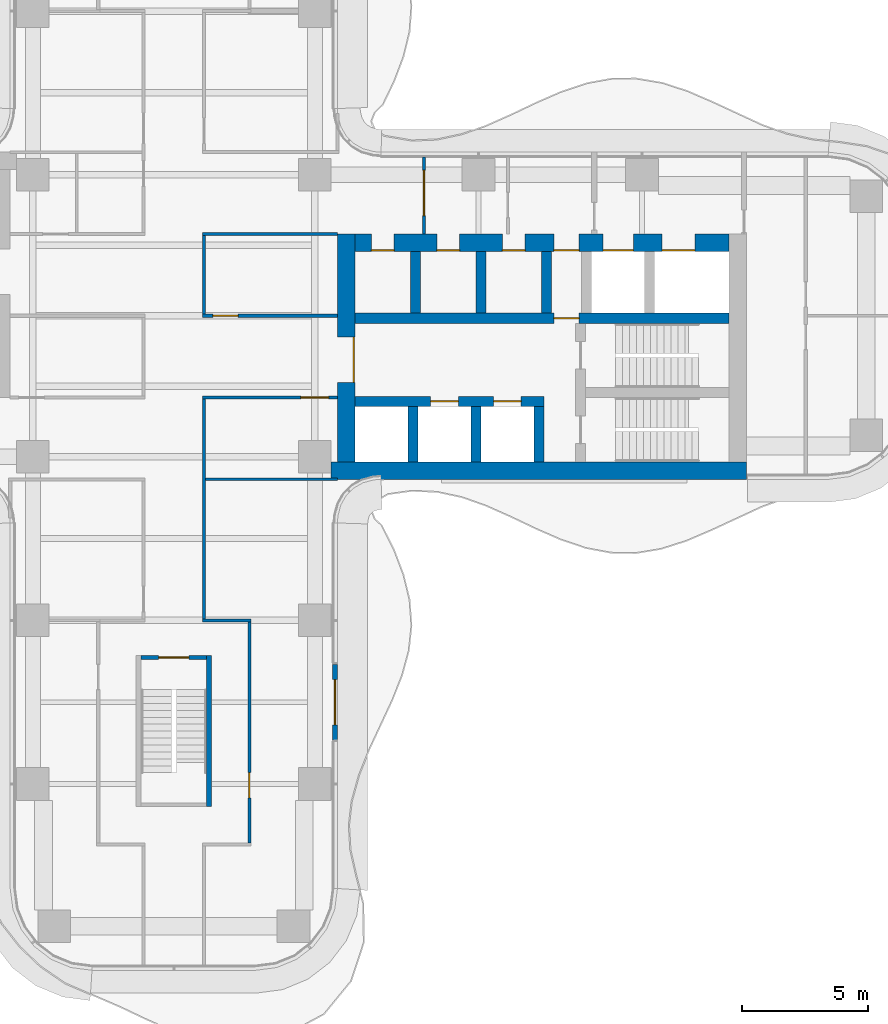
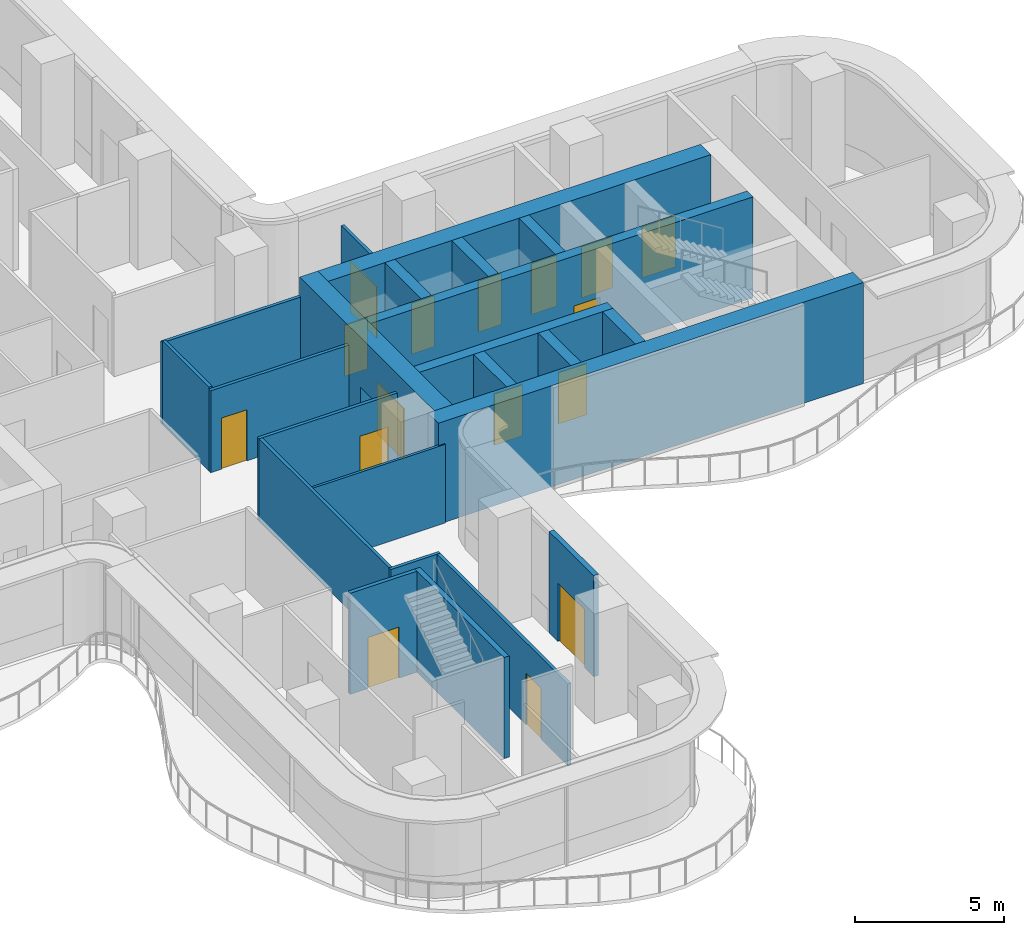
# One storey, part 16 of 20: 23 walls, 16 doors, 16 openings.
"""IFC4 building model written with IfcOpenShell, lengths in metres."""

from ifc_helpers import new_model, si_unit, direction, frame, frame_2d, origin, place, context, subcontext, project, spatial, rectangle, extrude, source, transform, mapped, material, layer, layer_set, type_object, element, fill, save


model = new_model("IFC4")

# Units and contexts
model_context = context("Model", 3, precision=1e-05, world=origin(), true_north=direction((0.0, 1.0)))
body_context = subcontext(model_context, "Body", "Model", "MODEL_VIEW")
ifc_project = project(units=[si_unit("LENGTHUNIT", "METRE"), si_unit("AREAUNIT", "SQUARE_METRE"), si_unit("VOLUMEUNIT", "CUBIC_METRE"), si_unit("PLANEANGLEUNIT", "RADIAN"), si_unit("MASSUNIT", "GRAM", prefix="KILO")], contexts=[model_context])

# Site, building, storey
site_placement = place(None, origin())
site = spatial("IfcSite", under=ifc_project, at=site_placement, CompositionType="ELEMENT")
building_placement = place(site_placement, origin())
building = spatial("IfcBuilding", under=site, at=building_placement, Name="Trellis Farm Tower", CompositionType="ELEMENT")
storey_placement = place(building_placement, frame((0.0, 0.0, 151.5)))
storey = spatial("IfcBuildingStorey", under=building, at=storey_placement, Name="L32", CompositionType="ELEMENT", Elevation=151.5)

# Wall, opening, door
ifc_material_1 = material(Name="Plasterboard on steel studs, mineral wool", Category="steel")
ifc_layer_1 = layer(ifc_material_1, 0.125)
ifc_layer_set_1 = layer_set([ifc_layer_1], Name="PARTITION 125 STUD EI 60")
wall_type_1 = type_object("IfcWallType", Name="PARTITION 125 STUD EI 60", PredefinedType="PARTITIONING", material=ifc_layer_set_1)
wall_1_placement = place(storey_placement, frame((3.0, -12.16259765625, 0.0), z_axis=(0.0, 0.0, 1.0), x_axis=(0.0, -1.0, 0.0)))
wall_1 = element("IfcWall", 1, at=wall_1_placement, inside=storey, type_object=wall_type_1, Name="Partition PW1", PredefinedType="PARTITIONING", context=body_context, shape_type="SweptSolid", body=[
    extrude(rectangle(XDim=8.77490234375, YDim=0.125, at=frame_2d((4.387451171875, 0.0))), origin(), (0.0, 0.0, 1.0), 3.367919921875),
])
shared_shape_1 = source(origin(), body_context, "Body", "SweptSolid", [
    extrude(rectangle(XDim=1.0, YDim=2.10009765625, at=frame_2d((0.5, 1.050048828125))), frame((0.0, 0.072509765625, 0.0), z_axis=(0.0, -1.0, 0.0), x_axis=(1.0, 0.0, 0.0)), (0.0, 0.0, 1.0), 0.14501953125),
])
opening_1_placement = place(wall_1_placement, frame((5.987548828125, 0.0, 0.0)))
opening_1 = element("IfcOpeningElement", 2, at=opening_1_placement, cuts=wall_1, Name="Opening D101", PredefinedType="OPENING", context=body_context, shape_type="MappedRepresentation", body=[
    mapped(shared_shape_1, transform((0.0, 0.0, 0.0))),
])
ifc_material_2 = material(Name="Fire-rated timber door leaf in a hollow metal frame", Category="wood")
door_type_1 = type_object("IfcDoorType", Name="DOOR 1000x2100 FD30S", OperationType="NOTDEFINED", PredefinedType="DOOR", material=ifc_material_2)
shared_shape_2 = source(origin(), body_context, "Body", "SweptSolid", [
    extrude(rectangle(XDim=1.0, YDim=2.10009765625, at=frame_2d((0.5, 1.050048828125))), frame((0.0, 0.02490234375, 0.0), z_axis=(0.0, -1.0, 0.0), x_axis=(1.0, 0.0, 0.0)), (0.0, 0.0, 1.0), 0.050048828125),
])
door_1_placement = place(opening_1_placement, origin())
door_1 = element("IfcDoor", 3, at=door_1_placement, inside=storey, type_object=door_type_1, Name="Door D101", OperationType="SINGLE_SWING_RIGHT", OverallHeight=2.10009765625, OverallWidth=1.0, PredefinedType="DOOR", context=body_context, shape_type="MappedRepresentation", body=[
    mapped(shared_shape_2, transform((0.0, 0.0, 0.0))),
])
fill(opening_1, door_1)

ifc_material_3 = material(Name="Concrete C70/85", Category="concrete")
ifc_layer_2 = layer(ifc_material_3, 0.699951171875)
ifc_layer_set_2 = layer_set([ifc_layer_2], Name="CORE OUTER WALL 700 CONCRETE C70/85")
wall_type_2 = type_object("IfcWallType", Name="CORE OUTER WALL 700 CONCRETE C70/85", PredefinedType="SHEAR", material=ifc_layer_set_2)
shared_shape_3 = source(origin(), body_context, "Body", "SweptSolid", [
    extrude(rectangle(XDim=9.050048828125, YDim=0.699951171875, at=frame_2d((4.52490234375, 0.0))), origin(), (0.0, 0.0, 1.0), 4.14990234375),
])
wall_2_placement = place(storey_placement, frame((6.85009765625, -5.800048828125, 0.0), z_axis=(0.0, 0.0, 1.0), x_axis=(0.0, 1.0, 0.0)))
wall_2 = element("IfcWall", 4, at=wall_2_placement, inside=storey, type_object=wall_type_2, Name="Core wall", PredefinedType="SHEAR", context=body_context, shape_type="MappedRepresentation", body=[
    mapped(shared_shape_3, transform((0.0, 0.0, 0.0))),
])
shared_shape_4 = source(origin(), body_context, "Body", "SweptSolid", [
    extrude(rectangle(XDim=1.800048828125, YDim=2.10009765625, at=frame_2d((0.89990234375, 1.050048828125))), frame((0.0, 0.360107421875, 0.0), z_axis=(0.0, -1.0, 0.0), x_axis=(1.0, 0.0, 0.0)), (0.0, 0.0, 1.0), 0.72021484375),
])
opening_2_placement = place(wall_2_placement, frame((3.14990234375, 0.0, 0.0)))
opening_2 = element("IfcOpeningElement", 5, at=opening_2_placement, cuts=wall_2, Name="Opening DC1", PredefinedType="OPENING", context=body_context, shape_type="MappedRepresentation", body=[
    mapped(shared_shape_4, transform((0.0, 0.0, 0.0))),
])
ifc_material_4 = material(Name="Steel", Category="steel")
door_type_2 = type_object("IfcDoorType", Name="CORE FIRE DOOR DOUBLE 1800 X 2100", OperationType="DOUBLE_DOOR_SINGLE_SWING", PredefinedType="DOOR", material=ifc_material_4)
shared_shape_5 = source(origin(), body_context, "Body", "SweptSolid", [
    extrude(rectangle(XDim=1.800048828125, YDim=2.10009765625, at=frame_2d((0.89990234375, 1.050048828125))), frame((0.0, -0.27490234375, 0.0), z_axis=(0.0, -1.0, 0.0), x_axis=(1.0, 0.0, 0.0)), (0.0, 0.0, 1.0), 0.050048828125),
])
door_2_placement = place(opening_2_placement, origin())
door_2 = element("IfcDoor", 6, at=door_2_placement, inside=storey, type_object=door_type_2, Name="Core door", OperationType="DOUBLE_DOOR_SINGLE_SWING", OverallHeight=2.10009765625, OverallWidth=1.800048828125, PredefinedType="DOOR", context=body_context, shape_type="MappedRepresentation", body=[
    mapped(shared_shape_5, transform((0.0, 0.0, 0.0))),
])
fill(opening_2, door_2)

# Walls
ifc_layer_3 = layer(ifc_material_3, 0.39990234375)
ifc_layer_set_3 = layer_set([ifc_layer_3], Name="CORE INNER WALL 400 CONCRETE C70/85")
wall_type_3 = type_object("IfcWallType", Name="CORE INNER WALL 400 CONCRETE C70/85", PredefinedType="SHEAR", material=ifc_layer_set_3)
shared_shape_6 = source(origin(), body_context, "Body", "SweptSolid", [
    extrude(rectangle(XDim=2.199951171875, YDim=0.39990234375, at=frame_2d((1.10009765625, 0.0))), origin(), (0.0, 0.0, 1.0), 4.14990234375),
])
for number, where, z_axis, x_axis, name in (
    (7, (9.5, -5.800048828125, 0.0), (0.0, 0.0, 1.0), (0.0, 1.0, 0.0), "Core wall"),
    (8, (12.0, -5.800048828125, 0.0), (0.0, 0.0, 1.0), (0.0, 1.0, 0.0), "Core wall"),
    (9, (14.5, -5.800048828125, 0.0), (0.0, 0.0, 1.0), (0.0, 1.0, 0.0), "Core wall"),
):
    element("IfcWall", number, at=place(storey_placement, frame(where, z_axis=z_axis, x_axis=x_axis)), inside=storey, type_object=wall_type_3, Name=name, PredefinedType="SHEAR", context=body_context, shape_type="MappedRepresentation", body=[
        mapped(shared_shape_6, transform((0.0, 0.0, 0.0))),
    ])
shared_shape_7 = source(origin(), body_context, "Body", "SweptSolid", [
    extrude(rectangle(XDim=2.449951171875, YDim=0.39990234375, at=frame_2d((1.22509765625, 0.0))), origin(), (0.0, 0.0, 1.0), 4.14990234375),
])
for number, where, z_axis, x_axis, name in (
    (10, (9.60009765625, 0.10009765625, 0.0), (0.0, 0.0, 1.0), (0.0, 1.0, 0.0), "Core wall"),
    (11, (12.199951171875, 0.10009765625, 0.0), (0.0, 0.0, 1.0), (0.0, 1.0, 0.0), "Core wall"),
    (12, (14.800048828125, 0.10009765625, 0.0), (0.0, 0.0, 1.0), (0.0, 1.0, 0.0), "Core wall"),
):
    element("IfcWall", number, at=place(storey_placement, frame(where, z_axis=z_axis, x_axis=x_axis)), inside=storey, type_object=wall_type_3, Name=name, PredefinedType="SHEAR", context=body_context, shape_type="MappedRepresentation", body=[
        mapped(shared_shape_7, transform((0.0, 0.0, 0.0))),
    ])
shared_shape_8 = source(origin(), body_context, "Body", "SweptSolid", [
    extrude(rectangle(XDim=16.5, YDim=0.699951171875, at=frame_2d((8.25, 0.0))), origin(), (0.0, 0.0, 1.0), 4.14990234375),
])
wall_3_placement = place(storey_placement, frame((6.25, -6.14990234375, 0.0), z_axis=(0.0, 0.0, 1.0), x_axis=(1.0, 0.0, 0.0)))
element("IfcWall", 13, at=wall_3_placement, inside=storey, type_object=wall_type_2, Name="Core wall", PredefinedType="SHEAR", context=body_context, shape_type="MappedRepresentation", body=[
    mapped(shared_shape_8, transform((0.0, 0.0, 0.0))),
])

# Wall, openings, doors
shared_shape_9 = source(origin(), body_context, "Body", "SweptSolid", [
    extrude(rectangle(XDim=14.85009765625, YDim=0.699951171875, at=frame_2d((7.425048828125, 0.0))), origin(), (0.0, 0.0, 1.0), 4.14990234375),
])
wall_4_placement = place(storey_placement, frame((7.199951171875, 2.89990234375, 0.0), z_axis=(0.0, 0.0, 1.0), x_axis=(1.0, 0.0, 0.0)))
wall_4 = element("IfcWall", 14, at=wall_4_placement, inside=storey, type_object=wall_type_2, Name="Core wall", PredefinedType="SHEAR", context=body_context, shape_type="MappedRepresentation", body=[
    mapped(shared_shape_9, transform((0.0, 0.0, 0.0))),
])
shared_shape_10 = source(origin(), body_context, "Body", "SweptSolid", [
    extrude(rectangle(XDim=1.300048828125, YDim=2.10009765625, at=frame_2d((0.64990234375, 1.050048828125))), frame((0.0, 0.360107421875, 0.0), z_axis=(0.0, -1.0, 0.0), x_axis=(1.0, 0.0, 0.0)), (0.0, 0.0, 1.0), 0.72021484375),
])
opening_3_placement = place(wall_4_placement, frame((12.199951171875, 0.0, 0.0)))
opening_3 = element("IfcOpeningElement", 15, at=opening_3_placement, cuts=wall_4, Name="Opening LD7", PredefinedType="OPENING", context=body_context, shape_type="MappedRepresentation", body=[
    mapped(shared_shape_10, transform((0.0, 0.0, 0.0))),
])
shared_shape_11 = source(origin(), body_context, "Body", "SweptSolid", [
    extrude(rectangle(XDim=1.199951171875, YDim=2.10009765625, at=frame_2d((0.60009765625, 1.050048828125))), frame((0.0, 0.360107421875, 0.0), z_axis=(0.0, -1.0, 0.0), x_axis=(1.0, 0.0, 0.0)), (0.0, 0.0, 1.0), 0.72021484375),
])
opening_4_placement = place(wall_4_placement, frame((9.85009765625, 0.0, 0.0)))
opening_4 = element("IfcOpeningElement", 16, at=opening_4_placement, cuts=wall_4, Name="Opening LD8", PredefinedType="OPENING", context=body_context, shape_type="MappedRepresentation", body=[
    mapped(shared_shape_11, transform((0.0, 0.0, 0.0))),
])
shared_shape_12 = source(origin(), body_context, "Body", "SweptSolid", [
    extrude(rectangle(XDim=1.0, YDim=2.10009765625, at=frame_2d((0.5, 1.050048828125))), frame((0.0, 0.360107421875, 0.0), z_axis=(0.0, -1.0, 0.0), x_axis=(1.0, 0.0, 0.0)), (0.0, 0.0, 1.0), 0.72021484375),
])
opening_5_placement = place(wall_4_placement, frame((7.89990234375, 0.0, 0.0)))
opening_5 = element("IfcOpeningElement", 17, at=opening_5_placement, cuts=wall_4, Name="Opening DC6", PredefinedType="OPENING", context=body_context, shape_type="MappedRepresentation", body=[
    mapped(shared_shape_12, transform((0.0, 0.0, 0.0))),
])
shared_shape_13 = source(origin(), body_context, "Body", "SweptSolid", [
    extrude(rectangle(XDim=0.89990234375, YDim=2.10009765625, at=frame_2d((0.449951171875, 1.050048828125))), frame((0.0, 0.360107421875, 0.0), z_axis=(0.0, -1.0, 0.0), x_axis=(1.0, 0.0, 0.0)), (0.0, 0.0, 1.0), 0.72021484375),
])
opening_6_placement = place(wall_4_placement, frame((0.64990234375, 0.0, 0.0)))
opening_6 = element("IfcOpeningElement", 18, at=opening_6_placement, cuts=wall_4, Name="Opening DC11", PredefinedType="OPENING", context=body_context, shape_type="MappedRepresentation", body=[
    mapped(shared_shape_13, transform((0.0, 0.0, 0.0))),
])
opening_7_placement = place(wall_4_placement, frame((3.25, 0.0, 0.0)))
opening_7 = element("IfcOpeningElement", 19, at=opening_7_placement, cuts=wall_4, Name="Opening DC24", PredefinedType="OPENING", context=body_context, shape_type="MappedRepresentation", body=[
    mapped(shared_shape_13, transform((0.0, 0.0, 0.0))),
])
opening_8_placement = place(wall_4_placement, frame((5.85009765625, 0.0, 0.0)))
opening_8 = element("IfcOpeningElement", 20, at=opening_8_placement, cuts=wall_4, Name="Opening DC35", PredefinedType="OPENING", context=body_context, shape_type="MappedRepresentation", body=[
    mapped(shared_shape_13, transform((0.0, 0.0, 0.0))),
])
door_type_3 = type_object("IfcDoorType", Name="CORE FIRE DOOR 1000 X 2100", OperationType="NOTDEFINED", PredefinedType="DOOR", material=ifc_material_4)
shared_shape_14 = source(origin(), body_context, "Body", "SweptSolid", [
    extrude(rectangle(XDim=1.0, YDim=2.10009765625, at=frame_2d((0.5, 1.050048828125))), frame((0.0, -0.27490234375, 0.0), z_axis=(0.0, -1.0, 0.0), x_axis=(1.0, 0.0, 0.0)), (0.0, 0.0, 1.0), 0.050048828125),
])
door_3_placement = place(opening_5_placement, origin())
door_3 = element("IfcDoor", 21, at=door_3_placement, inside=storey, type_object=door_type_3, Name="Core door", OperationType="SINGLE_SWING_LEFT", OverallHeight=2.10009765625, OverallWidth=1.0, PredefinedType="DOOR", context=body_context, shape_type="MappedRepresentation", body=[
    mapped(shared_shape_14, transform((0.0, 0.0, 0.0))),
])
fill(opening_5, door_3)
door_type_4 = type_object("IfcDoorType", Name="CORE FIRE DOOR 900 X 2100", OperationType="NOTDEFINED", PredefinedType="DOOR", material=ifc_material_4)
shared_shape_15 = source(origin(), body_context, "Body", "SweptSolid", [
    extrude(rectangle(XDim=0.89990234375, YDim=2.10009765625, at=frame_2d((0.449951171875, 1.050048828125))), frame((0.0, -0.27490234375, 0.0), z_axis=(0.0, -1.0, 0.0), x_axis=(1.0, 0.0, 0.0)), (0.0, 0.0, 1.0), 0.050048828125),
])
door_4_placement = place(opening_6_placement, origin())
door_4 = element("IfcDoor", 22, at=door_4_placement, inside=storey, type_object=door_type_4, Name="Core door", OperationType="SINGLE_SWING_LEFT", OverallHeight=2.10009765625, OverallWidth=0.89990234375, PredefinedType="DOOR", context=body_context, shape_type="MappedRepresentation", body=[
    mapped(shared_shape_15, transform((0.0, 0.0, 0.0))),
])
fill(opening_6, door_4)
door_5_placement = place(opening_7_placement, origin())
door_5 = element("IfcDoor", 23, at=door_5_placement, inside=storey, type_object=door_type_4, Name="Core door", OperationType="SINGLE_SWING_RIGHT", OverallHeight=2.10009765625, OverallWidth=0.89990234375, PredefinedType="DOOR", context=body_context, shape_type="MappedRepresentation", body=[
    mapped(shared_shape_15, transform((0.0, 0.0, 0.0))),
])
fill(opening_7, door_5)
door_6_placement = place(opening_8_placement, origin())
door_6 = element("IfcDoor", 24, at=door_6_placement, inside=storey, type_object=door_type_4, Name="Core door", OperationType="SINGLE_SWING_LEFT", OverallHeight=2.10009765625, OverallWidth=0.89990234375, PredefinedType="DOOR", context=body_context, shape_type="MappedRepresentation", body=[
    mapped(shared_shape_15, transform((0.0, 0.0, 0.0))),
])
fill(opening_8, door_6)
ifc_material_5 = material(Name="Stainless steel", Category="steel")
door_type_5 = type_object("IfcDoorType", Name="LIFT LANDING DOOR 1300 X 2100", OperationType="DOUBLE_DOOR_SLIDING", PredefinedType="DOOR", material=ifc_material_5)
shared_shape_16 = source(origin(), body_context, "Body", "SweptSolid", [
    extrude(rectangle(XDim=1.300048828125, YDim=2.10009765625, at=frame_2d((0.64990234375, 1.050048828125))), frame((0.0, -0.27490234375, 0.0), z_axis=(0.0, -1.0, 0.0), x_axis=(1.0, 0.0, 0.0)), (0.0, 0.0, 1.0), 0.050048828125),
])
door_7_placement = place(opening_3_placement, origin())
door_7 = element("IfcDoor", 25, at=door_7_placement, inside=storey, type_object=door_type_5, Name="Lift landing door", OperationType="DOUBLE_DOOR_SLIDING", OverallHeight=2.10009765625, OverallWidth=1.300048828125, PredefinedType="DOOR", context=body_context, shape_type="MappedRepresentation", body=[
    mapped(shared_shape_16, transform((0.0, 0.0, 0.0))),
])
fill(opening_3, door_7)
door_type_6 = type_object("IfcDoorType", Name="LIFT LANDING DOOR 1200 X 2100", OperationType="DOUBLE_DOOR_SLIDING", PredefinedType="DOOR", material=ifc_material_5)
shared_shape_17 = source(origin(), body_context, "Body", "SweptSolid", [
    extrude(rectangle(XDim=1.199951171875, YDim=2.10009765625, at=frame_2d((0.60009765625, 1.050048828125))), frame((0.0, -0.27490234375, 0.0), z_axis=(0.0, -1.0, 0.0), x_axis=(1.0, 0.0, 0.0)), (0.0, 0.0, 1.0), 0.050048828125),
])
door_8_placement = place(opening_4_placement, origin())
door_8 = element("IfcDoor", 26, at=door_8_placement, inside=storey, type_object=door_type_6, Name="Lift landing door", OperationType="DOUBLE_DOOR_SLIDING", OverallHeight=2.10009765625, OverallWidth=1.199951171875, PredefinedType="DOOR", context=body_context, shape_type="MappedRepresentation", body=[
    mapped(shared_shape_17, transform((0.0, 0.0, 0.0))),
])
fill(opening_4, door_8)

shared_shape_18 = source(origin(), body_context, "Body", "SweptSolid", [
    extrude(rectangle(XDim=7.5, YDim=0.39990234375, at=frame_2d((3.75, 0.0))), origin(), (0.0, 0.0, 1.0), 4.14990234375),
])
wall_5_placement = place(storey_placement, frame((7.199951171875, -3.39990234375, 0.0), z_axis=(0.0, 0.0, 1.0), x_axis=(1.0, 0.0, 0.0)))
wall_5 = element("IfcWall", 27, at=wall_5_placement, inside=storey, type_object=wall_type_3, Name="Core wall", PredefinedType="SHEAR", context=body_context, shape_type="MappedRepresentation", body=[
    mapped(shared_shape_18, transform((0.0, 0.0, 0.0))),
])
shared_shape_19 = source(origin(), body_context, "Body", "SweptSolid", [
    extrude(rectangle(XDim=1.10009765625, YDim=2.10009765625, at=frame_2d((0.550048828125, 1.050048828125))), frame((0.0, 0.2099609375, 0.0), z_axis=(0.0, -1.0, 0.0), x_axis=(1.0, 0.0, 0.0)), (0.0, 0.0, 1.0), 0.419921875),
])
opening_9_placement = place(wall_5_placement, frame((3.0, 0.0, 0.0)))
opening_9 = element("IfcOpeningElement", 28, at=opening_9_placement, cuts=wall_5, Name="Opening LD2", PredefinedType="OPENING", context=body_context, shape_type="MappedRepresentation", body=[
    mapped(shared_shape_19, transform((0.0, 0.0, 0.0))),
])
opening_10_placement = place(wall_5_placement, frame((5.5, 0.0, 0.0)))
opening_10 = element("IfcOpeningElement", 29, at=opening_10_placement, cuts=wall_5, Name="Opening LD3", PredefinedType="OPENING", context=body_context, shape_type="MappedRepresentation", body=[
    mapped(shared_shape_19, transform((0.0, 0.0, 0.0))),
])
door_type_7 = type_object("IfcDoorType", Name="LIFT LANDING DOOR 1100 X 2100", OperationType="DOUBLE_DOOR_SLIDING", PredefinedType="DOOR", material=ifc_material_5)
shared_shape_20 = source(origin(), body_context, "Body", "SweptSolid", [
    extrude(rectangle(XDim=1.10009765625, YDim=2.10009765625, at=frame_2d((0.550048828125, 1.050048828125))), frame((0.0, 0.02490234375, 0.0), z_axis=(0.0, -1.0, 0.0), x_axis=(1.0, 0.0, 0.0)), (0.0, 0.0, 1.0), 0.050048828125),
])
door_9_placement = place(opening_9_placement, origin())
door_9 = element("IfcDoor", 30, at=door_9_placement, inside=storey, type_object=door_type_7, Name="Lift landing door", OperationType="DOUBLE_DOOR_SLIDING", OverallHeight=2.10009765625, OverallWidth=1.10009765625, PredefinedType="DOOR", context=body_context, shape_type="MappedRepresentation", body=[
    mapped(shared_shape_20, transform((0.0, 0.0, 0.0))),
])
fill(opening_9, door_9)
door_10_placement = place(opening_10_placement, origin())
door_10 = element("IfcDoor", 31, at=door_10_placement, inside=storey, type_object=door_type_7, Name="Lift landing door", OperationType="DOUBLE_DOOR_SLIDING", OverallHeight=2.10009765625, OverallWidth=1.10009765625, PredefinedType="DOOR", context=body_context, shape_type="MappedRepresentation", body=[
    mapped(shared_shape_20, transform((0.0, 0.0, 0.0))),
])
fill(opening_10, door_10)

# Wall, opening, door
shared_shape_21 = source(origin(), body_context, "Body", "SweptSolid", [
    extrude(rectangle(XDim=14.85009765625, YDim=0.39990234375, at=frame_2d((7.425048828125, 0.0))), origin(), (0.0, 0.0, 1.0), 4.14990234375),
])
wall_6_placement = place(storey_placement, frame((7.199951171875, -0.10009765625, 0.0), z_axis=(0.0, 0.0, 1.0), x_axis=(1.0, 0.0, 0.0)))
wall_6 = element("IfcWall", 32, at=wall_6_placement, inside=storey, type_object=wall_type_3, Name="Core wall", PredefinedType="SHEAR", context=body_context, shape_type="MappedRepresentation", body=[
    mapped(shared_shape_21, transform((0.0, 0.0, 0.0))),
])
shared_shape_22 = source(origin(), body_context, "Body", "SweptSolid", [
    extrude(rectangle(XDim=1.0, YDim=2.10009765625, at=frame_2d((0.5, 1.050048828125))), frame((0.0, 0.2099609375, 0.0), z_axis=(0.0, -1.0, 0.0), x_axis=(1.0, 0.0, 0.0)), (0.0, 0.0, 1.0), 0.419921875),
])
opening_11_placement = place(wall_6_placement, frame((7.89990234375, 0.0, 0.0)))
opening_11 = element("IfcOpeningElement", 33, at=opening_11_placement, cuts=wall_6, Name="Opening DC5", PredefinedType="OPENING", context=body_context, shape_type="MappedRepresentation", body=[
    mapped(shared_shape_22, transform((0.0, 0.0, 0.0))),
])
door_11_placement = place(opening_11_placement, origin())
door_11 = element("IfcDoor", 34, at=door_11_placement, inside=storey, type_object=door_type_3, Name="Core door", OperationType="SINGLE_SWING_RIGHT", OverallHeight=2.10009765625, OverallWidth=1.0, PredefinedType="DOOR", context=body_context, shape_type="MappedRepresentation", body=[
    mapped(shared_shape_2, transform((0.0, 0.0, 0.0))),
])
fill(opening_11, door_11)

# Wall
ifc_layer_4 = layer(ifc_material_3, 0.199951171875)
ifc_layer_set_4 = layer_set([ifc_layer_4], Name="CORE STAIR ENCLOSURE WALL 200 CONCRETE C70/85")
wall_type_4 = type_object("IfcWallType", Name="CORE STAIR ENCLOSURE WALL 200 CONCRETE C70/85", PredefinedType="SHEAR", material=ifc_layer_set_4)
shared_shape_23 = source(origin(), body_context, "Body", "SweptSolid", [
    extrude(rectangle(XDim=6.0, YDim=0.199951171875, at=frame_2d((3.0, 0.0))), origin(), (0.0, 0.0, 1.0), 4.14990234375),
])
wall_7_placement = place(storey_placement, frame((1.39990234375, -13.5, 0.0), z_axis=(0.0, 0.0, 1.0), x_axis=(0.0, -1.0, 0.0)))
element("IfcWall", 35, at=wall_7_placement, inside=storey, type_object=wall_type_4, Name="Stair enclosure wall", PredefinedType="SHEAR", context=body_context, shape_type="MappedRepresentation", body=[
    mapped(shared_shape_23, transform((0.0, 0.0, 0.0))),
])

# Wall, opening, door
ifc_layer_5 = layer(ifc_material_3, 0.14990234375)
ifc_layer_set_5 = layer_set([ifc_layer_5], Name="CORE STAIR ENCLOSURE WALL 150 CONCRETE C70/85")
wall_type_5 = type_object("IfcWallType", Name="CORE STAIR ENCLOSURE WALL 150 CONCRETE C70/85", PredefinedType="SHEAR", material=ifc_layer_set_5)
shared_shape_24 = source(origin(), body_context, "Body", "SweptSolid", [
    extrude(rectangle(XDim=2.60009765625, YDim=0.14990234375, at=frame_2d((1.300048828125, 0.0))), origin(), (0.0, 0.0, 1.0), 4.14990234375),
])
wall_8_placement = place(storey_placement, frame((1.300048828125, -13.574951171875, 0.0), z_axis=(0.0, 0.0, 1.0), x_axis=(-1.0, 0.0, 0.0)))
wall_8 = element("IfcWall", 36, at=wall_8_placement, inside=storey, type_object=wall_type_5, Name="Stair enclosure wall", PredefinedType="SHEAR", context=body_context, shape_type="MappedRepresentation", body=[
    mapped(shared_shape_24, transform((0.0, 0.0, 0.0))),
])
shared_shape_25 = source(origin(), body_context, "Body", "SweptSolid", [
    extrude(rectangle(XDim=1.199951171875, YDim=2.10009765625, at=frame_2d((0.60009765625, 1.050048828125))), frame((0.0, 0.0849609375, 0.0), z_axis=(0.0, -1.0, 0.0), x_axis=(1.0, 0.0, 0.0)), (0.0, 0.0, 1.0), 0.169921875),
])
opening_12_placement = place(wall_8_placement, frame((0.699951171875, 0.0, 0.0)))
opening_12 = element("IfcOpeningElement", 37, at=opening_12_placement, cuts=wall_8, Name="Opening DC174", PredefinedType="OPENING", context=body_context, shape_type="MappedRepresentation", body=[
    mapped(shared_shape_25, transform((0.0, 0.0, 0.0))),
])
door_type_8 = type_object("IfcDoorType", Name="CORE FIRE DOOR 1200 X 2100", OperationType="NOTDEFINED", PredefinedType="DOOR", material=ifc_material_4)
shared_shape_26 = source(origin(), body_context, "Body", "SweptSolid", [
    extrude(rectangle(XDim=1.199951171875, YDim=2.10009765625, at=frame_2d((0.60009765625, 1.050048828125))), frame((0.0, 0.02490234375, 0.0), z_axis=(0.0, -1.0, 0.0), x_axis=(1.0, 0.0, 0.0)), (0.0, 0.0, 1.0), 0.050048828125),
])
door_12_placement = place(opening_12_placement, origin())
door_12 = element("IfcDoor", 38, at=door_12_placement, inside=storey, type_object=door_type_8, Name="Core door", OperationType="SINGLE_SWING_RIGHT", OverallHeight=2.10009765625, OverallWidth=1.199951171875, PredefinedType="DOOR", context=body_context, shape_type="MappedRepresentation", body=[
    mapped(shared_shape_26, transform((0.0, 0.0, 0.0))),
])
fill(opening_12, door_12)

ifc_material_6 = material(Name="Sandstone faced insulated wall", Category="masonry")
ifc_layer_6 = layer(ifc_material_6, 0.199951171875)
ifc_layer_set_6 = layer_set([ifc_layer_6], Name="EXTERNAL INFILL WALL 200")
wall_type_6 = type_object("IfcWallType", Name="EXTERNAL INFILL WALL 200", PredefinedType="SOLIDWALL", material=ifc_layer_set_6)
shared_shape_27 = source(origin(), body_context, "Body", "SweptSolid", [
    extrude(rectangle(XDim=3.0, YDim=0.199951171875, at=frame_2d((1.5, 0.0))), origin(), (0.0, 0.0, 1.0), 4.14990234375),
])
wall_9_placement = place(storey_placement, frame((6.39990234375, -16.85009765625, 0.0), z_axis=(0.0, 0.0, 1.0), x_axis=(0.0, 1.0, 0.0)))
wall_9 = element("IfcWall", 39, at=wall_9_placement, inside=storey, type_object=wall_type_6, Name="EW1 01", PredefinedType="SOLIDWALL", context=body_context, shape_type="MappedRepresentation", body=[
    mapped(shared_shape_27, transform((0.0, 0.0, 0.0))),
])
shared_shape_28 = source(origin(), body_context, "Body", "SweptSolid", [
    extrude(rectangle(XDim=1.800048828125, YDim=2.39990234375, at=frame_2d((0.89990234375, 1.199951171875))), frame((0.0, 0.110107421875, 0.0), z_axis=(0.0, -1.0, 0.0), x_axis=(1.0, 0.0, 0.0)), (0.0, 0.0, 1.0), 0.22021484375),
])
opening_13_placement = place(wall_9_placement, frame((0.60009765625, 0.0, 0.0)))
opening_13 = element("IfcOpeningElement", 40, at=opening_13_placement, cuts=wall_9, Name="Opening ED1", PredefinedType="OPENING", context=body_context, shape_type="MappedRepresentation", body=[
    mapped(shared_shape_28, transform((0.0, 0.0, 0.0))),
])
ifc_material_7 = material(Name="Aluminium framed glazed door", Category="aluminium")
door_type_9 = type_object("IfcDoorType", Name="BALCONY DOOR 1800x2400", OperationType="DOUBLE_DOOR_SINGLE_SWING", PredefinedType="DOOR", material=ifc_material_7)
shared_shape_29 = source(origin(), body_context, "Body", "SweptSolid", [
    extrude(rectangle(XDim=1.800048828125, YDim=2.39990234375, at=frame_2d((0.89990234375, 1.199951171875))), frame((0.0, 0.02490234375, 0.0), z_axis=(0.0, -1.0, 0.0), x_axis=(1.0, 0.0, 0.0)), (0.0, 0.0, 1.0), 0.050048828125),
])
door_13_placement = place(opening_13_placement, origin())
door_13 = element("IfcDoor", 41, at=door_13_placement, inside=storey, type_object=door_type_9, Name="Balcony door", OperationType="DOUBLE_DOOR_SINGLE_SWING", OverallHeight=2.39990234375, OverallWidth=1.800048828125, PredefinedType="DOOR", context=body_context, shape_type="MappedRepresentation", body=[
    mapped(shared_shape_29, transform((0.0, 0.0, 0.0))),
])
fill(opening_13, door_13)

shared_shape_30 = source(origin(), body_context, "Body", "SweptSolid", [
    extrude(rectangle(XDim=3.050048828125, YDim=0.125, at=frame_2d((1.52490234375, 0.0))), origin(), (0.0, 0.0, 1.0), 3.22998046875),
])
wall_10_placement = place(storey_placement, frame((9.93408203125, 3.25, 0.0), z_axis=(0.0, 0.0, 1.0), x_axis=(0.0, 1.0, 0.0)))
wall_10 = element("IfcWall", 42, at=wall_10_placement, inside=storey, type_object=wall_type_1, Name="Partition PW1", PredefinedType="PARTITIONING", context=body_context, shape_type="MappedRepresentation", body=[
    mapped(shared_shape_30, transform((0.0, 0.0, 0.0))),
])
shared_shape_31 = source(origin(), body_context, "Body", "SweptSolid", [
    extrude(rectangle(XDim=1.800048828125, YDim=2.10009765625, at=frame_2d((0.89990234375, 1.050048828125))), frame((0.0, 0.072509765625, 0.0), z_axis=(0.0, -1.0, 0.0), x_axis=(1.0, 0.0, 0.0)), (0.0, 0.0, 1.0), 0.14501953125),
])
opening_14_placement = place(wall_10_placement, frame((0.72509765625, 0.0, 0.0)))
opening_14 = element("IfcOpeningElement", 43, at=opening_14_placement, cuts=wall_10, Name="Opening D402", PredefinedType="OPENING", context=body_context, shape_type="MappedRepresentation", body=[
    mapped(shared_shape_31, transform((0.0, 0.0, 0.0))),
])
door_type_10 = type_object("IfcDoorType", Name="DOOR PAIR 1800x2100 FD60", OperationType="NOTDEFINED", PredefinedType="DOOR", material=ifc_material_2)
shared_shape_32 = source(origin(), body_context, "Body", "SweptSolid", [
    extrude(rectangle(XDim=1.800048828125, YDim=2.10009765625, at=frame_2d((0.89990234375, 1.050048828125))), frame((0.0, 0.02490234375, 0.0), z_axis=(0.0, -1.0, 0.0), x_axis=(1.0, 0.0, 0.0)), (0.0, 0.0, 1.0), 0.050048828125),
])
door_14_placement = place(opening_14_placement, origin())
door_14 = element("IfcDoor", 44, at=door_14_placement, inside=storey, type_object=door_type_10, Name="Door D402", OperationType="DOUBLE_DOOR_SINGLE_SWING", OverallHeight=2.10009765625, OverallWidth=1.800048828125, PredefinedType="DOOR", context=body_context, shape_type="MappedRepresentation", body=[
    mapped(shared_shape_32, transform((0.0, 0.0, 0.0))),
])
fill(opening_14, door_14)

# Walls
shared_shape_33 = source(origin(), body_context, "Body", "SweptSolid", [
    extrude(rectangle(XDim=8.72509765625, YDim=0.125, at=frame_2d((4.362548828125, 0.0))), origin(), (0.0, 0.0, 1.0), 3.367919921875),
])
wall_11_placement = place(storey_placement, frame((1.199951171875, -3.3125, 0.0), z_axis=(0.0, 0.0, 1.0), x_axis=(0.0, -1.0, 0.0)))
element("IfcWall", 45, at=wall_11_placement, inside=storey, type_object=wall_type_1, Name="Partition PW1", PredefinedType="PARTITIONING", context=body_context, shape_type="MappedRepresentation", body=[
    mapped(shared_shape_33, transform((0.0, 0.0, 0.0))),
])
shared_shape_34 = source(origin(), body_context, "Body", "SweptSolid", [
    extrude(rectangle(XDim=3.125, YDim=0.125, at=frame_2d((1.5625, 0.0))), origin(), (0.0, 0.0, 1.0), 3.446533203125),
])
wall_12_placement = place(storey_placement, frame((1.199951171875, 3.1875, 0.0), z_axis=(0.0, 0.0, 1.0), x_axis=(0.0, -1.0, 0.0)))
element("IfcWall", 46, at=wall_12_placement, inside=storey, type_object=wall_type_1, Name="Partition PW1", PredefinedType="PARTITIONING", context=body_context, shape_type="MappedRepresentation", body=[
    mapped(shared_shape_34, transform((0.0, 0.0, 0.0))),
])
shared_shape_35 = source(origin(), body_context, "Body", "SweptSolid", [
    extrude(rectangle(XDim=1.925048828125, YDim=0.125, at=frame_2d((0.96240234375, 0.0))), origin(), (0.0, 0.0, 1.0), 3.367919921875),
])
wall_13_placement = place(storey_placement, frame((1.137451171875, -12.10009765625, 0.0), z_axis=(0.0, 0.0, 1.0), x_axis=(1.0, 0.0, 0.0)))
element("IfcWall", 47, at=wall_13_placement, inside=storey, type_object=wall_type_1, Name="Partition PW1", PredefinedType="PARTITIONING", context=body_context, shape_type="MappedRepresentation", body=[
    mapped(shared_shape_35, transform((0.0, 0.0, 0.0))),
])

# Wall, opening, door
shared_shape_36 = source(origin(), body_context, "Body", "SweptSolid", [
    extrude(rectangle(XDim=5.362548828125, YDim=0.125, at=frame_2d((2.68115234375, 0.0))), origin(), (0.0, 0.0, 1.0), 3.367919921875),
])
wall_14_placement = place(storey_placement, frame((6.5, -3.25, 0.0), z_axis=(0.0, 0.0, 1.0), x_axis=(-1.0, 0.0, 0.0)))
wall_14 = element("IfcWall", 48, at=wall_14_placement, inside=storey, type_object=wall_type_1, Name="Partition PW1", PredefinedType="PARTITIONING", context=body_context, shape_type="MappedRepresentation", body=[
    mapped(shared_shape_36, transform((0.0, 0.0, 0.0))),
])
shared_shape_37 = source(origin(), body_context, "Body", "SweptSolid", [
    extrude(rectangle(XDim=1.10009765625, YDim=2.10009765625, at=frame_2d((0.550048828125, 1.050048828125))), frame((0.0, 0.072509765625, 0.0), z_axis=(0.0, -1.0, 0.0), x_axis=(1.0, 0.0, 0.0)), (0.0, 0.0, 1.0), 0.14501953125),
])
opening_15_placement = place(wall_14_placement, frame((0.35009765625, 0.0, 0.0)))
opening_15 = element("IfcOpeningElement", 49, at=opening_15_placement, cuts=wall_14, Name="Opening D501", PredefinedType="OPENING", context=body_context, shape_type="MappedRepresentation", body=[
    mapped(shared_shape_37, transform((0.0, 0.0, 0.0))),
])
door_type_11 = type_object("IfcDoorType", Name="DOOR 1100x2100 FD30S", OperationType="NOTDEFINED", PredefinedType="DOOR", material=ifc_material_2)
door_15_placement = place(opening_15_placement, origin())
door_15 = element("IfcDoor", 50, at=door_15_placement, inside=storey, type_object=door_type_11, Name="Door D501", OperationType="SINGLE_SWING_LEFT", OverallHeight=2.10009765625, OverallWidth=1.10009765625, PredefinedType="DOOR", context=body_context, shape_type="MappedRepresentation", body=[
    mapped(shared_shape_20, transform((0.0, 0.0, 0.0))),
])
fill(opening_15, door_15)

wall_15_placement = place(storey_placement, frame((6.5, 0.0, 0.0), z_axis=(0.0, 0.0, 1.0), x_axis=(-1.0, 0.0, 0.0)))
wall_15 = element("IfcWall", 51, at=wall_15_placement, inside=storey, type_object=wall_type_1, Name="Partition PW1", PredefinedType="PARTITIONING", context=body_context, shape_type="MappedRepresentation", body=[
    mapped(shared_shape_36, transform((0.0, 0.0, 0.0))),
])
opening_16_placement = place(wall_15_placement, frame((3.949951171875, 0.0, 0.0)))
opening_16 = element("IfcOpeningElement", 52, at=opening_16_placement, cuts=wall_15, Name="Opening D106", PredefinedType="OPENING", context=body_context, shape_type="MappedRepresentation", body=[
    mapped(shared_shape_1, transform((0.0, 0.0, 0.0))),
])
door_16_placement = place(opening_16_placement, origin())
door_16 = element("IfcDoor", 53, at=door_16_placement, inside=storey, type_object=door_type_1, Name="Door D106", OperationType="SINGLE_SWING_RIGHT", OverallHeight=2.10009765625, OverallWidth=1.0, PredefinedType="DOOR", context=body_context, shape_type="MappedRepresentation", body=[
    mapped(shared_shape_2, transform((0.0, 0.0, 0.0))),
])
fill(opening_16, door_16)

# Walls
wall_16_placement = place(storey_placement, frame((1.137451171875, 3.25, 0.0), z_axis=(0.0, 0.0, 1.0), x_axis=(1.0, 0.0, 0.0)))
element("IfcWall", 54, at=wall_16_placement, inside=storey, type_object=wall_type_1, Name="Partition PW1", PredefinedType="PARTITIONING", context=body_context, shape_type="MappedRepresentation", body=[
    mapped(shared_shape_36, transform((0.0, 0.0, 0.0))),
])
ifc_material_8 = material(Name="Plasterboard on steel studs", Category="steel")
ifc_layer_7 = layer(ifc_material_8, 0.10009765625)
ifc_layer_set_7 = layer_set([ifc_layer_7], Name="PARTITION 100 STUD EI 30")
wall_type_7 = type_object("IfcWallType", Name="PARTITION 100 STUD EI 30", PredefinedType="PARTITIONING", material=ifc_layer_set_7)
shared_shape_38 = source(origin(), body_context, "Body", "SweptSolid", [
    extrude(rectangle(XDim=5.237548828125, YDim=0.10009765625, at=frame_2d((2.61865234375, 0.0))), origin(), (0.0, 0.0, 1.0), 3.22998046875),
])
wall_17_placement = place(storey_placement, frame((1.262451171875, -6.5, 0.0), z_axis=(0.0, 0.0, 1.0), x_axis=(1.0, 0.0, 0.0)))
element("IfcWall", 55, at=wall_17_placement, inside=storey, type_object=wall_type_7, Name="Partition PW2", PredefinedType="PARTITIONING", context=body_context, shape_type="MappedRepresentation", body=[
    mapped(shared_shape_38, transform((0.0, 0.0, 0.0))),
])

save(model, "model.ifc")
